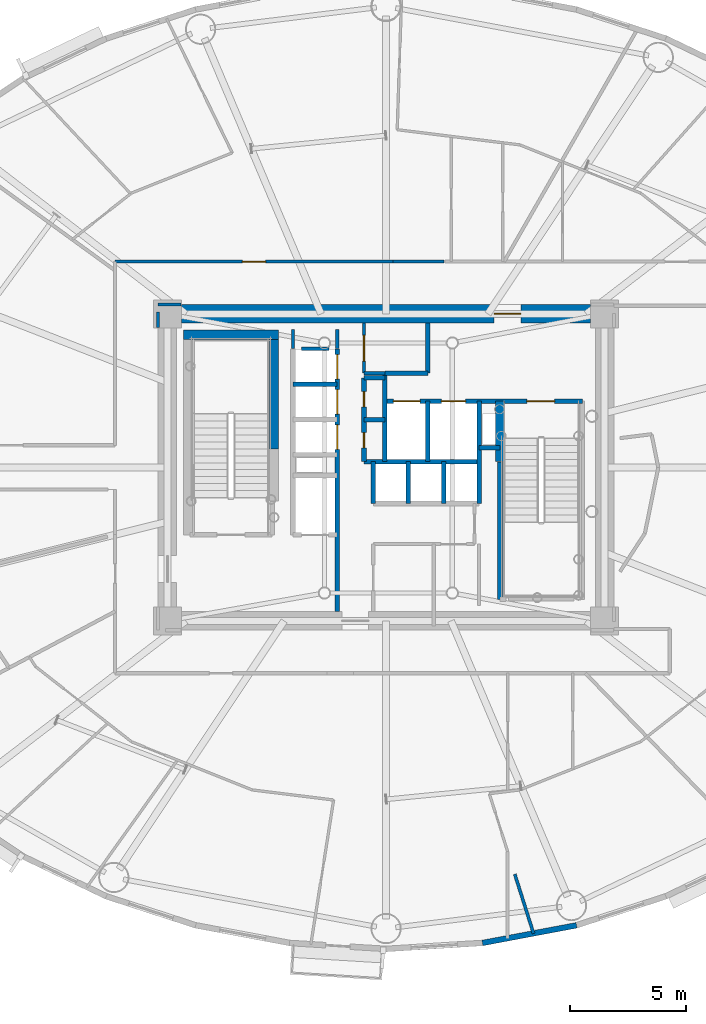
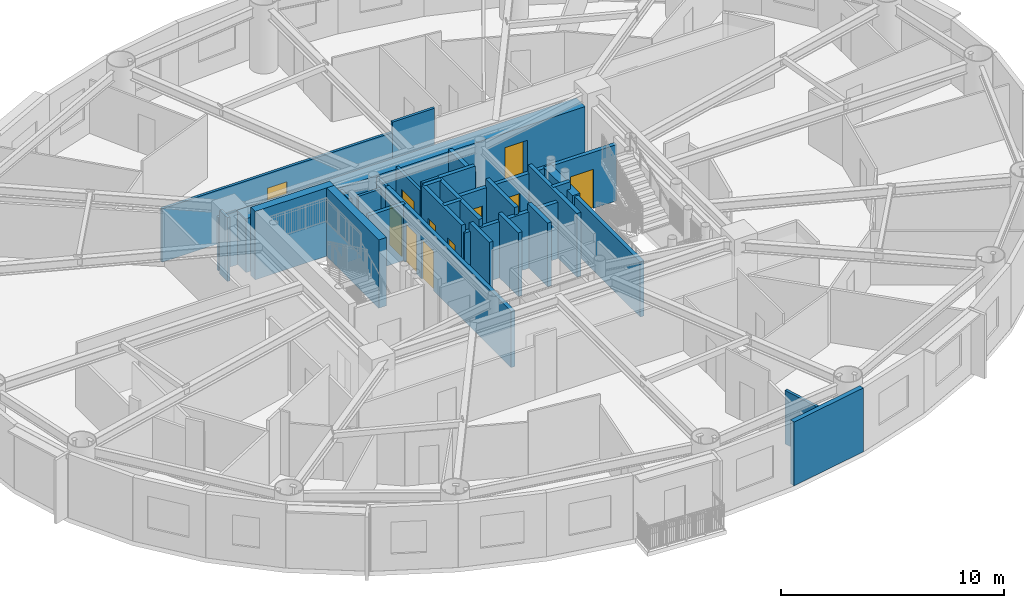
# One storey, part 10 of 19: 32 walls, 11 doors, 11 openings.
"""IFC4 building model written with IfcOpenShell, lengths in metres."""

from ifc_helpers import new_model, si_unit, direction, frame, frame_2d, origin, origin_2d, place, context, subcontext, project, spatial, rectangle, extrude, source, transform, mapped, material, layer, layer_set, type_object, element, fill, save


model = new_model("IFC4")

# Units and contexts
model_context = context("Model", 3, precision=1e-05, world=origin(), true_north=direction((0.0, 1.0)))
body_context = subcontext(model_context, "Body", "Model", "MODEL_VIEW")
ifc_project = project(units=[si_unit("LENGTHUNIT", "METRE"), si_unit("AREAUNIT", "SQUARE_METRE"), si_unit("VOLUMEUNIT", "CUBIC_METRE"), si_unit("PLANEANGLEUNIT", "RADIAN"), si_unit("MASSUNIT", "GRAM", prefix="KILO")], contexts=[model_context])

# Site, building, storey
site_placement = place(None, origin())
site = spatial("IfcSite", under=ifc_project, at=site_placement, CompositionType="ELEMENT")
building_placement = place(site_placement, origin())
building = spatial("IfcBuilding", under=site, at=building_placement, Name="Linh Dai School and Residence Tower", CompositionType="ELEMENT")
storey_placement = place(building_placement, frame((0.0, 0.0, 193.64990234375)))
storey = spatial("IfcBuildingStorey", under=building, at=storey_placement, Name="L47", CompositionType="ELEMENT", Elevation=193.64990234375)

# Wall
ifc_material_1 = material(Name="Precast Concrete B45 (C35/45)", Category="concrete")
ifc_layer_1 = layer(ifc_material_1, 0.239990234375)
ifc_layer_set_1 = layer_set([ifc_layer_1], Name="Precast Concrete B45 (C35/45)")
wall_type_1 = type_object("IfcWallType", Name="EW-TC-240", PredefinedType="SOLIDWALL", material=ifc_layer_set_1)
wall_1_placement = place(storey_placement, frame((44.18896484375, 7.310546875, 0.0), z_axis=(0.0, 0.0, 1.0), x_axis=(-0.982788108205, -0.184736391573, 0.0)))
element("IfcWall", 1, at=wall_1_placement, inside=storey, type_object=wall_type_1, Name="L47 Terracotta Exterior Wall 32", PredefinedType="SOLIDWALL", context=body_context, shape_type="SweptSolid", body=[
    extrude(rectangle(XDim=4.114013671875, YDim=0.239990234375, at=frame_2d((2.05712890625, 0.0))), origin(), (0.0, 0.0, 1.0), 3.5),
])

# Wall, opening, door
ifc_material_2 = material(Name="Autoclaved Aerated Concrete Blockwork", Category="masonry")
ifc_layer_2 = layer(ifc_material_2, 0.135009765625)
ifc_layer_set_2 = layer_set([ifc_layer_2], Name="Autoclaved Aerated Concrete Blockwork")
wall_type_2 = type_object("IfcWallType", Name="IW-CORR-135-EI90", PredefinedType="PARTITIONING", material=ifc_layer_set_2)
wall_2_placement = place(storey_placement, frame((24.35009765625, 35.85009765625, 0.0), z_axis=(0.0, 0.0, 1.0), x_axis=(1.0, 0.0, 0.0)))
wall_2 = element("IfcWall", 2, at=wall_2_placement, inside=storey, type_object=wall_type_2, Name="L47 Interior Partition Wall 022", PredefinedType="PARTITIONING", context=body_context, shape_type="SweptSolid", body=[
    extrude(rectangle(XDim=11.9423828125, YDim=0.135009765625, at=frame_2d((5.97119140625, 0.0))), origin(), (0.0, 0.0, 1.0), 2.93505859375),
])
opening_1_placement = place(wall_2_placement, frame((5.47119140625, 0.0, 0.0)))
opening_1 = element("IfcOpeningElement", 3, at=opening_1_placement, cuts=wall_2, Name="Opening D03", PredefinedType="OPENING", context=body_context, shape_type="SweptSolid", body=[
    extrude(rectangle(XDim=1.0, YDim=2.14990234375, at=origin_2d()), frame((0.5, 0.07763671875, 1.074951171875), z_axis=(0.0, -1.0, 0.0), x_axis=(1.0, 0.0, 0.0)), (0.0, 0.0, 1.0), 0.155029296875),
])
ifc_material_3 = material(Name="Fire-Rated Solid Timber Entrance Door", Category="wood")
door_type_1 = type_object("IfcDoorType", Name="DR-FLAT-1000x2150-FD60S", OperationType="NOTDEFINED", PredefinedType="DOOR", material=ifc_material_3)
shared_shape_1 = source(origin(), body_context, "Body", "SweptSolid", [
    extrude(rectangle(XDim=1.0, YDim=2.14990234375, at=origin_2d()), frame((0.5, 0.02490234375, 1.074951171875), z_axis=(0.0, -1.0, 0.0), x_axis=(1.0, 0.0, 0.0)), (0.0, 0.0, 1.0), 0.050048828125),
])
door_1_placement = place(opening_1_placement, origin())
door_1 = element("IfcDoor", 4, at=door_1_placement, inside=storey, type_object=door_type_1, Name="L47 U4703 Apartment Entrance Door", OperationType="SINGLE_SWING_RIGHT", OverallHeight=2.14990234375, OverallWidth=1.0, PredefinedType="DOOR", context=body_context, shape_type="MappedRepresentation", body=[
    mapped(shared_shape_1, transform((0.0, 0.0, 0.0), x_axis=(1.0, 0.0, 0.0), y_axis=(0.0, 1.0, 0.0), z_axis=(0.0, 0.0, 1.0), scale=1.0)),
])
fill(opening_1, door_1)

wall_3_placement = place(storey_placement, frame((35.050048828125, 31.050048828125, 0.0), z_axis=(0.0, 0.0, 1.0), x_axis=(0.0, 1.0, 0.0)))
wall_3 = element("IfcWall", 5, at=wall_3_placement, inside=storey, type_object=wall_type_2, Name="L47 Interior Partition Wall 042", PredefinedType="PARTITIONING", context=body_context, shape_type="SweptSolid", body=[
    extrude(rectangle(XDim=2.14990234375, YDim=0.135009765625, at=frame_2d((1.074951171875, 0.0))), origin(), (0.0, 0.0, 1.0), 3.085205078125),
])
opening_2_placement = place(wall_3_placement, frame((0.52490234375, 0.0, 0.0)))
opening_2 = element("IfcOpeningElement", 6, at=opening_2_placement, cuts=wall_3, Name="Opening D07", PredefinedType="OPENING", context=body_context, shape_type="SweptSolid", body=[
    extrude(rectangle(XDim=1.10009765625, YDim=2.14990234375, at=origin_2d()), frame((0.550048828125, 0.07763671875, 1.074951171875), z_axis=(0.0, -1.0, 0.0), x_axis=(1.0, 0.0, 0.0)), (0.0, 0.0, 1.0), 0.155029296875),
])
ifc_material_4 = material(Name="Fire-Rated Louvred Steel Plant Door", Category="steel")
door_type_2 = type_object("IfcDoorType", Name="DR-PLT-1100x2150-FD60S", OperationType="NOTDEFINED", PredefinedType="DOOR", material=ifc_material_4)
shared_shape_2 = source(origin(), body_context, "Body", "SweptSolid", [
    extrude(rectangle(XDim=1.10009765625, YDim=2.14990234375, at=origin_2d()), frame((0.550048828125, 0.02490234375, 1.074951171875), z_axis=(0.0, -1.0, 0.0), x_axis=(1.0, 0.0, 0.0)), (0.0, 0.0, 1.0), 0.050048828125),
])
door_2_placement = place(opening_2_placement, origin())
door_2 = element("IfcDoor", 7, at=door_2_placement, inside=storey, type_object=door_type_2, Name="L47 North BMS Switchroom Door", OperationType="SINGLE_SWING_RIGHT", OverallHeight=2.14990234375, OverallWidth=1.10009765625, PredefinedType="DOOR", context=body_context, shape_type="MappedRepresentation", body=[
    mapped(shared_shape_2, transform((0.0, 0.0, 0.0), x_axis=(1.0, 0.0, 0.0), y_axis=(0.0, 1.0, 0.0), z_axis=(0.0, 0.0, 1.0), scale=1.0)),
])
fill(opening_2, door_2)

# Walls
wall_4_placement = place(storey_placement, frame((35.050048828125, 31.050048828125, 0.0), z_axis=(0.0, 0.0, 1.0), x_axis=(1.0, 0.0, 0.0)))
element("IfcWall", 8, at=wall_4_placement, inside=storey, type_object=wall_type_2, Name="L47 Interior Partition Wall 043", PredefinedType="PARTITIONING", context=body_context, shape_type="SweptSolid", body=[
    extrude(rectangle(XDim=0.89990234375, YDim=0.135009765625, at=frame_2d((0.449951171875, 0.0))), origin(), (0.0, 0.0, 1.0), 3.5),
])
wall_5_placement = place(storey_placement, frame((32.360107421875, 32.10009765625, 0.0), z_axis=(0.0, 0.0, 1.0), x_axis=(1.0, 0.0, 0.0)))
element("IfcWall", 9, at=wall_5_placement, inside=storey, type_object=wall_type_2, Name="L47 Interior Partition Wall 094", PredefinedType="PARTITIONING", context=body_context, shape_type="SweptSolid", body=[
    extrude(rectangle(XDim=1.179931640625, YDim=0.135009765625, at=frame_2d((0.58984375, 0.0))), origin(), (0.0, 0.0, 1.0), 3.085205078125),
])
wall_6_placement = place(storey_placement, frame((32.0, 32.93994140625, 0.0), z_axis=(0.0, 0.0, 1.0), x_axis=(0.0, -1.0, 0.0)))
element("IfcWall", 10, at=wall_6_placement, inside=storey, type_object=wall_type_2, Name="L47 Interior Partition Wall 096", PredefinedType="PARTITIONING", context=body_context, shape_type="SweptSolid", body=[
    extrude(rectangle(XDim=0.829833984375, YDim=0.135009765625, at=frame_2d((0.4150390625, 0.0))), origin(), (0.0, 0.0, 1.0), 3.03515625),
])
wall_7_placement = place(storey_placement, frame((33.89990234375, 32.110107421875, 0.0), z_axis=(0.0, 0.0, 1.0), x_axis=(0.0, 1.0, 0.0)))
element("IfcWall", 11, at=wall_7_placement, inside=storey, type_object=wall_type_2, Name="L47 Interior Partition Wall 097", PredefinedType="PARTITIONING", context=body_context, shape_type="SweptSolid", body=[
    extrude(rectangle(XDim=0.829833984375, YDim=0.135009765625, at=frame_2d((0.4150390625, 0.0))), origin(), (0.0, 0.0, 1.0), 3.085205078125),
])
wall_8_placement = place(storey_placement, frame((36.30224609375, 35.85009765625, 0.0), z_axis=(0.0, 0.0, 1.0), x_axis=(1.0, 0.0, 0.0)))
element("IfcWall", 12, at=wall_8_placement, inside=storey, type_object=wall_type_2, Name="L47 Interior Partition Wall 099", PredefinedType="PARTITIONING", context=body_context, shape_type="SweptSolid", body=[
    extrude(rectangle(XDim=2.1865234375, YDim=0.135009765625, at=frame_2d((1.09326171875, 0.0))), origin(), (0.0, 0.0, 1.0), 3.5),
])
wall_9_placement = place(storey_placement, frame((27.18994140625, 34.0, 0.0), z_axis=(0.0, 0.0, 1.0), x_axis=(-1.0, 0.0, 0.0)))
element("IfcWall", 13, at=wall_9_placement, inside=storey, type_object=wall_type_2, Name="L47 Interior Partition Wall 101", PredefinedType="PARTITIONING", context=body_context, shape_type="SweptSolid", body=[
    extrude(rectangle(XDim=0.989990234375, YDim=0.135009765625, at=frame_2d((0.4951171875, 0.0))), origin(), (0.0, 0.0, 1.0), 2.93505859375),
])
wall_10_placement = place(storey_placement, frame((26.199951171875, 33.6923828125, 0.0), z_axis=(0.0, 0.0, 1.0), x_axis=(0.0, -1.0, 0.0)))
element("IfcWall", 14, at=wall_10_placement, inside=storey, type_object=wall_type_2, Name="L47 Interior Partition Wall 102", PredefinedType="PARTITIONING", context=body_context, shape_type="SweptSolid", body=[
    extrude(rectangle(XDim=0.682373046875, YDim=0.135009765625, at=frame_2d((0.34130859375, 0.0))), origin(), (0.0, 0.0, 1.0), 3.5),
])
wall_11_placement = place(storey_placement, frame((42.342529296875, 6.95849609375, 0.0), z_axis=(0.0, 0.0, 1.0), x_axis=(-0.30175084808, 0.953386818496, 0.0)))
element("IfcWall", 15, at=wall_11_placement, inside=storey, type_object=wall_type_2, Name="L47 Interior Partition Wall 111", PredefinedType="PARTITIONING", context=body_context, shape_type="SweptSolid", body=[
    extrude(rectangle(XDim=2.677978515625, YDim=0.135009765625, at=frame_2d((1.3388671875, 0.0))), origin(), (0.0, 0.0, 1.0), 2.93505859375),
])
ifc_material_5 = material(Name="Concrete B45 (C35/45)", Category="concrete")
ifc_layer_3 = layer(ifc_material_5, 0.199951171875)
ifc_layer_set_3 = layer_set([ifc_layer_3], Name="Concrete B45 (C35/45)")
wall_type_3 = type_object("IfcWallType", Name="IW-SHAFT-200-EI120", PredefinedType="PARTITIONING", material=ifc_layer_set_3)
wall_12_placement = place(storey_placement, frame((32.0, 30.580078125, 0.0), z_axis=(0.0, 0.0, 1.0), x_axis=(1.0, 0.0, 0.0)))
element("IfcWall", 16, at=wall_12_placement, inside=storey, type_object=wall_type_3, Name="L47 Interior Partition Wall 034", PredefinedType="PARTITIONING", context=body_context, shape_type="SweptSolid", body=[
    extrude(rectangle(XDim=1.89990234375, YDim=0.199951171875, at=frame_2d((0.949951171875, 0.0))), origin(), (0.0, 0.0, 1.0), 3.085205078125),
])

# Wall, openings, doors
wall_13_placement = place(storey_placement, frame((33.89990234375, 20.800048828125, 0.0), z_axis=(0.0, 0.0, 1.0), x_axis=(0.0, 1.0, 0.0)))
wall_13 = element("IfcWall", 17, at=wall_13_placement, inside=storey, type_object=wall_type_3, Name="L47 Interior Partition Wall 036", PredefinedType="PARTITIONING", context=body_context, shape_type="SweptSolid", body=[
    extrude(rectangle(XDim=11.300048828125, YDim=0.199951171875, at=frame_2d((5.64990234375, 0.0))), origin(), (0.0, 0.0, 1.0), 3.085205078125),
])
opening_3_placement = place(wall_13_placement, frame((6.97998046875, 0.0, 0.0)))
opening_3 = element("IfcOpeningElement", 18, at=opening_3_placement, cuts=wall_13, Name="Opening LD-PL4", PredefinedType="OPENING", context=body_context, shape_type="SweptSolid", body=[
    extrude(rectangle(XDim=1.050048828125, YDim=2.14990234375, at=origin_2d()), frame((0.52490234375, 0.10986328125, 1.074951171875), z_axis=(0.0, -1.0, 0.0), x_axis=(1.0, 0.0, 0.0)), (0.0, 0.0, 1.0), 0.219970703125),
])
opening_4_placement = place(wall_13_placement, frame((8.4951171875, 0.0, 0.0)))
opening_4 = element("IfcOpeningElement", 19, at=opening_4_placement, cuts=wall_13, Name="Opening LD-PL5", PredefinedType="OPENING", context=body_context, shape_type="SweptSolid", body=[
    extrude(rectangle(XDim=1.050048828125, YDim=2.14990234375, at=origin_2d()), frame((0.52490234375, 0.10986328125, 1.074951171875), z_axis=(0.0, -1.0, 0.0), x_axis=(1.0, 0.0, 0.0)), (0.0, 0.0, 1.0), 0.219970703125),
])
opening_5_placement = place(wall_13_placement, frame((9.9951171875, 0.0, 0.0)))
opening_5 = element("IfcOpeningElement", 20, at=opening_5_placement, cuts=wall_13, Name="Opening LD-PL6", PredefinedType="OPENING", context=body_context, shape_type="SweptSolid", body=[
    extrude(rectangle(XDim=1.050048828125, YDim=2.14990234375, at=origin_2d()), frame((0.52490234375, 0.10986328125, 1.074951171875), z_axis=(0.0, -1.0, 0.0), x_axis=(1.0, 0.0, 0.0)), (0.0, 0.0, 1.0), 0.219970703125),
])
ifc_material_6 = material(Name="Brushed Stainless Steel Lift Landing Door", Category="steel")
door_type_3 = type_object("IfcDoorType", Name="DR-LD-PASS-1050x2150", OperationType="DOUBLE_DOOR_SLIDING", PredefinedType="USERDEFINED", material=ifc_material_6)
shared_shape_3 = source(origin(), body_context, "Body", "SweptSolid", [
    extrude(rectangle(XDim=1.050048828125, YDim=2.14990234375, at=origin_2d()), frame((0.52490234375, 0.02490234375, 1.074951171875), z_axis=(0.0, -1.0, 0.0), x_axis=(1.0, 0.0, 0.0)), (0.0, 0.0, 1.0), 0.050048828125),
])
door_3_placement = place(opening_3_placement, origin())
door_3 = element("IfcDoor", 21, at=door_3_placement, inside=storey, type_object=door_type_3, Name="L47 Lift PL4 Sliding Landing Door", ObjectType="LANDING DOOR", OperationType="DOUBLE_DOOR_SLIDING", OverallHeight=2.14990234375, OverallWidth=1.050048828125, PredefinedType="USERDEFINED", context=body_context, shape_type="MappedRepresentation", body=[
    mapped(shared_shape_3, transform((0.0, 0.0, 0.0), x_axis=(1.0, 0.0, 0.0), y_axis=(0.0, 1.0, 0.0), z_axis=(0.0, 0.0, 1.0), scale=1.0)),
])
fill(opening_3, door_3)
door_4_placement = place(opening_4_placement, origin())
door_4 = element("IfcDoor", 22, at=door_4_placement, inside=storey, type_object=door_type_3, Name="L47 Lift PL5 Sliding Landing Door", ObjectType="LANDING DOOR", OperationType="DOUBLE_DOOR_SLIDING", OverallHeight=2.14990234375, OverallWidth=1.050048828125, PredefinedType="USERDEFINED", context=body_context, shape_type="MappedRepresentation", body=[
    mapped(shared_shape_3, transform((0.0, 0.0, 0.0), x_axis=(1.0, 0.0, 0.0), y_axis=(0.0, 1.0, 0.0), z_axis=(0.0, 0.0, 1.0), scale=1.0)),
])
fill(opening_4, door_4)
door_5_placement = place(opening_5_placement, origin())
door_5 = element("IfcDoor", 23, at=door_5_placement, inside=storey, type_object=door_type_3, Name="L47 Lift PL6 Sliding Landing Door", ObjectType="LANDING DOOR", OperationType="DOUBLE_DOOR_SLIDING", OverallHeight=2.14990234375, OverallWidth=1.050048828125, PredefinedType="USERDEFINED", context=body_context, shape_type="MappedRepresentation", body=[
    mapped(shared_shape_3, transform((0.0, 0.0, 0.0), x_axis=(1.0, 0.0, 0.0), y_axis=(0.0, 1.0, 0.0), z_axis=(0.0, 0.0, 1.0), scale=1.0)),
])
fill(opening_5, door_5)

wall_14_placement = place(storey_placement, frame((35.050048828125, 27.25, 0.0), z_axis=(0.0, 0.0, 1.0), x_axis=(0.0, 1.0, 0.0)))
wall_14 = element("IfcWall", 24, at=wall_14_placement, inside=storey, type_object=wall_type_3, Name="L47 Interior Partition Wall 038", PredefinedType="PARTITIONING", context=body_context, shape_type="SweptSolid", body=[
    extrude(rectangle(XDim=3.60009765625, YDim=0.199951171875, at=frame_2d((1.800048828125, 0.0))), origin(), (0.0, 0.0, 1.0), 3.5),
])
opening_6_placement = place(wall_14_placement, frame((0.590087890625, 0.0, 0.0)))
opening_6 = element("IfcOpeningElement", 25, at=opening_6_placement, cuts=wall_14, Name="Opening AD1", PredefinedType="OPENING", context=body_context, shape_type="SweptSolid", body=[
    extrude(rectangle(XDim=0.659912109375, YDim=2.050048828125, at=origin_2d()), frame((0.330078125, 0.10986328125, 1.02490234375), z_axis=(0.0, -1.0, 0.0), x_axis=(1.0, 0.0, 0.0)), (0.0, 0.0, 1.0), 0.219970703125),
])
opening_7_placement = place(wall_14_placement, frame((2.35009765625, 0.0, 0.0)))
opening_7 = element("IfcOpeningElement", 26, at=opening_7_placement, cuts=wall_14, Name="Opening AD1", PredefinedType="OPENING", context=body_context, shape_type="SweptSolid", body=[
    extrude(rectangle(XDim=0.659912109375, YDim=2.050048828125, at=origin_2d()), frame((0.330078125, 0.10986328125, 1.02490234375), z_axis=(0.0, -1.0, 0.0), x_axis=(1.0, 0.0, 0.0)), (0.0, 0.0, 1.0), 0.219970703125),
])
ifc_material_7 = material(Name="Fire-Rated Steel Riser Access Door", Category="steel")
door_type_4 = type_object("IfcDoorType", Name="DR-ACC-660x2050-FD90S", OperationType="NOTDEFINED", PredefinedType="USERDEFINED", material=ifc_material_7)
shared_shape_4 = source(origin(), body_context, "Body", "SweptSolid", [
    extrude(rectangle(XDim=0.659912109375, YDim=2.050048828125, at=origin_2d()), frame((0.330078125, 0.02490234375, 1.02490234375), z_axis=(0.0, -1.0, 0.0), x_axis=(1.0, 0.0, 0.0)), (0.0, 0.0, 1.0), 0.050048828125),
])
door_6_placement = place(opening_6_placement, origin())
door_6 = element("IfcDoor", 27, at=door_6_placement, inside=storey, type_object=door_type_4, Name="L47 Telecom and Data Riser Access Door", ObjectType="ACCESS DOOR", OperationType="SINGLE_SWING_RIGHT", OverallHeight=2.050048828125, OverallWidth=0.659912109375, PredefinedType="USERDEFINED", context=body_context, shape_type="MappedRepresentation", body=[
    mapped(shared_shape_4, transform((0.0, 0.0, 0.0), x_axis=(1.0, 0.0, 0.0), y_axis=(0.0, 1.0, 0.0), z_axis=(0.0, 0.0, 1.0), scale=1.0)),
])
fill(opening_6, door_6)
door_7_placement = place(opening_7_placement, origin())
door_7 = element("IfcDoor", 28, at=door_7_placement, inside=storey, type_object=door_type_4, Name="L47 Mechanical and Plumbing Riser Access Door", ObjectType="ACCESS DOOR", OperationType="SINGLE_SWING_LEFT", OverallHeight=2.050048828125, OverallWidth=0.659912109375, PredefinedType="USERDEFINED", context=body_context, shape_type="MappedRepresentation", body=[
    mapped(shared_shape_4, transform((0.0, 0.0, 0.0), x_axis=(1.0, 0.0, 0.0), y_axis=(0.0, 1.0, 0.0), z_axis=(0.0, 0.0, 1.0), scale=1.0)),
])
fill(opening_7, door_7)

# Walls
wall_15_placement = place(storey_placement, frame((35.050048828125, 27.25, 0.0), z_axis=(0.0, 0.0, 1.0), x_axis=(1.0, 0.0, 0.0)))
element("IfcWall", 29, at=wall_15_placement, inside=storey, type_object=wall_type_3, Name="L47 Interior Partition Wall 039", PredefinedType="PARTITIONING", context=body_context, shape_type="SweptSolid", body=[
    extrude(rectangle(XDim=4.949951171875, YDim=0.199951171875, at=frame_2d((2.47509765625, 0.0))), origin(), (0.0, 0.0, 1.0), 3.085205078125),
])
for number, where, z_axis, x_axis, name in (
    (30, (35.050048828125, 29.050048828125, 0.0), (0.0, 0.0, 1.0), (1.0, 0.0, 0.0), "L47 Interior Partition Wall 040"),
    (31, (35.050048828125, 30.85009765625, 0.0), (0.0, 0.0, 1.0), (1.0, 0.0, 0.0), "L47 Interior Partition Wall 041"),
):
    element("IfcWall", number, at=place(storey_placement, frame(where, z_axis=z_axis, x_axis=x_axis)), inside=storey, type_object=wall_type_3, Name=name, PredefinedType="PARTITIONING", context=body_context, shape_type="SweptSolid", body=[
        extrude(rectangle(XDim=0.89990234375, YDim=0.199951171875, at=frame_2d((0.449951171875, 0.0))), origin(), (0.0, 0.0, 1.0), 3.5),
    ])
wall_16_placement = place(storey_placement, frame((35.449951171875, 25.449951171875, 0.0), z_axis=(0.0, 0.0, 1.0), x_axis=(0.0, 1.0, 0.0)))
element("IfcWall", 32, at=wall_16_placement, inside=storey, type_object=wall_type_3, Name="L47 Interior Partition Wall 046", PredefinedType="PARTITIONING", context=body_context, shape_type="SweptSolid", body=[
    extrude(rectangle(XDim=1.800048828125, YDim=0.199951171875, at=frame_2d((0.89990234375, 0.0))), origin(), (0.0, 0.0, 1.0), 3.5),
])
wall_17_placement = place(storey_placement, frame((35.949951171875, 27.25, 0.0), z_axis=(0.0, 0.0, 1.0), x_axis=(0.0, 1.0, 0.0)))
element("IfcWall", 33, at=wall_17_placement, inside=storey, type_object=wall_type_3, Name="L47 Interior Partition Wall 048", PredefinedType="PARTITIONING", context=body_context, shape_type="SweptSolid", body=[
    extrude(rectangle(XDim=3.800048828125, YDim=0.199951171875, at=frame_2d((1.89990234375, 0.0))), origin(), (0.0, 0.0, 1.0), 3.5),
])

# Wall, openings, doors
wall_18_placement = place(storey_placement, frame((35.949951171875, 29.85009765625, 0.0), z_axis=(0.0, 0.0, 1.0), x_axis=(1.0, 0.0, 0.0)))
wall_18 = element("IfcWall", 34, at=wall_18_placement, inside=storey, type_object=wall_type_3, Name="L47 Interior Partition Wall 049", PredefinedType="PARTITIONING", context=body_context, shape_type="SweptSolid", body=[
    extrude(rectangle(XDim=8.489990234375, YDim=0.199951171875, at=frame_2d((4.2451171875, 0.0))), origin(), (0.0, 0.0, 1.0), 3.085205078125),
])
opening_8_placement = place(wall_18_placement, frame((6.10009765625, 0.0, 0.0)))
opening_8 = element("IfcOpeningElement", 35, at=opening_8_placement, cuts=wall_18, Name="Opening D01", PredefinedType="OPENING", context=body_context, shape_type="SweptSolid", body=[
    extrude(rectangle(XDim=1.199951171875, YDim=2.14990234375, at=origin_2d()), frame((0.60009765625, 0.10986328125, 1.074951171875), z_axis=(0.0, -1.0, 0.0), x_axis=(1.0, 0.0, 0.0)), (0.0, 0.0, 1.0), 0.219970703125),
])
opening_9_placement = place(wall_18_placement, frame((0.3701171875, 0.0, 0.0)))
opening_9 = element("IfcOpeningElement", 36, at=opening_9_placement, cuts=wall_18, Name="Opening LD-FF1", PredefinedType="OPENING", context=body_context, shape_type="SweptSolid", body=[
    extrude(rectangle(XDim=1.14990234375, YDim=2.14990234375, at=origin_2d()), frame((0.574951171875, 0.10986328125, 1.074951171875), z_axis=(0.0, -1.0, 0.0), x_axis=(1.0, 0.0, 0.0)), (0.0, 0.0, 1.0), 0.219970703125),
])
opening_10_placement = place(wall_18_placement, frame((2.425048828125, 0.0, 0.0)))
opening_10 = element("IfcOpeningElement", 37, at=opening_10_placement, cuts=wall_18, Name="Opening LD-SV1", PredefinedType="OPENING", context=body_context, shape_type="SweptSolid", body=[
    extrude(rectangle(XDim=1.050048828125, YDim=2.14990234375, at=origin_2d()), frame((0.52490234375, 0.10986328125, 1.074951171875), z_axis=(0.0, -1.0, 0.0), x_axis=(1.0, 0.0, 0.0)), (0.0, 0.0, 1.0), 0.219970703125),
])
ifc_material_8 = material(Name="Fire-Rated Steel Door Leaf", Category="steel")
door_type_5 = type_object("IfcDoorType", Name="DR-STAIR-1200x2150-FD90S", OperationType="NOTDEFINED", PredefinedType="DOOR", material=ifc_material_8)
shared_shape_5 = source(origin(), body_context, "Body", "SweptSolid", [
    extrude(rectangle(XDim=1.199951171875, YDim=2.14990234375, at=origin_2d()), frame((0.60009765625, 0.02490234375, 1.074951171875), z_axis=(0.0, -1.0, 0.0), x_axis=(1.0, 0.0, 0.0)), (0.0, 0.0, 1.0), 0.050048828125),
])
door_8_placement = place(opening_8_placement, origin())
door_8 = element("IfcDoor", 38, at=door_8_placement, inside=storey, type_object=door_type_5, Name="L47 Core Smokeproof Exit Stair ST2 Door", OperationType="SINGLE_SWING_LEFT", OverallHeight=2.14990234375, OverallWidth=1.199951171875, PredefinedType="DOOR", context=body_context, shape_type="MappedRepresentation", body=[
    mapped(shared_shape_5, transform((0.0, 0.0, 0.0), x_axis=(1.0, 0.0, 0.0), y_axis=(0.0, 1.0, 0.0), z_axis=(0.0, 0.0, 1.0), scale=1.0)),
])
fill(opening_8, door_8)
ifc_material_9 = material(Name="Fire-Rated Stainless Steel Firefighting Lift Door", Category="steel")
door_type_6 = type_object("IfcDoorType", Name="DR-LD-FF-1150x2150-FD120", OperationType="DOUBLE_DOOR_SLIDING", PredefinedType="USERDEFINED", material=ifc_material_9)
shared_shape_6 = source(origin(), body_context, "Body", "SweptSolid", [
    extrude(rectangle(XDim=1.14990234375, YDim=2.14990234375, at=origin_2d()), frame((0.574951171875, 0.02490234375, 1.074951171875), z_axis=(0.0, -1.0, 0.0), x_axis=(1.0, 0.0, 0.0)), (0.0, 0.0, 1.0), 0.050048828125),
])
door_9_placement = place(opening_9_placement, origin())
door_9 = element("IfcDoor", 39, at=door_9_placement, inside=storey, type_object=door_type_6, Name="L47 Lift FF1 Sliding Landing Door", ObjectType="LANDING DOOR", OperationType="DOUBLE_DOOR_SLIDING", OverallHeight=2.14990234375, OverallWidth=1.14990234375, PredefinedType="USERDEFINED", context=body_context, shape_type="MappedRepresentation", body=[
    mapped(shared_shape_6, transform((0.0, 0.0, 0.0), x_axis=(1.0, 0.0, 0.0), y_axis=(0.0, 1.0, 0.0), z_axis=(0.0, 0.0, 1.0), scale=1.0)),
])
fill(opening_9, door_9)
door_10_placement = place(opening_10_placement, origin())
door_10 = element("IfcDoor", 40, at=door_10_placement, inside=storey, type_object=door_type_3, Name="L47 Lift SV1 Sliding Landing Door", ObjectType="LANDING DOOR", OperationType="DOUBLE_DOOR_SLIDING", OverallHeight=2.14990234375, OverallWidth=1.050048828125, PredefinedType="USERDEFINED", context=body_context, shape_type="MappedRepresentation", body=[
    mapped(shared_shape_3, transform((0.0, 0.0, 0.0), x_axis=(1.0, 0.0, 0.0), y_axis=(0.0, 1.0, 0.0), z_axis=(0.0, 0.0, 1.0), scale=1.0)),
])
fill(opening_10, door_10)

# Walls
wall_19_placement = place(storey_placement, frame((35.9599609375, 31.050048828125, 0.0), z_axis=(0.0, 0.0, 1.0), x_axis=(1.0, 0.0, 0.0)))
element("IfcWall", 41, at=wall_19_placement, inside=storey, type_object=wall_type_3, Name="L47 Interior Partition Wall 050", PredefinedType="PARTITIONING", context=body_context, shape_type="SweptSolid", body=[
    extrude(rectangle(XDim=1.840087890625, YDim=0.199951171875, at=frame_2d((0.919921875, 0.0))), origin(), (0.0, 0.0, 1.0), 3.5),
])
wall_20_placement = place(storey_placement, frame((36.9599609375, 25.449951171875, 0.0), z_axis=(0.0, 0.0, 1.0), x_axis=(0.0, 1.0, 0.0)))
element("IfcWall", 42, at=wall_20_placement, inside=storey, type_object=wall_type_3, Name="L47 Interior Partition Wall 053", PredefinedType="PARTITIONING", context=body_context, shape_type="SweptSolid", body=[
    extrude(rectangle(XDim=1.800048828125, YDim=0.199951171875, at=frame_2d((0.89990234375, 0.0))), origin(), (0.0, 0.0, 1.0), 3.5),
])
wall_21_placement = place(storey_placement, frame((37.800048828125, 27.25, 0.0), z_axis=(0.0, 0.0, 1.0), x_axis=(0.0, 1.0, 0.0)))
element("IfcWall", 43, at=wall_21_placement, inside=storey, type_object=wall_type_3, Name="L47 Interior Partition Wall 054", PredefinedType="PARTITIONING", context=body_context, shape_type="SweptSolid", body=[
    extrude(rectangle(XDim=2.60009765625, YDim=0.199951171875, at=frame_2d((1.300048828125, 0.0))), origin(), (0.0, 0.0, 1.0), 3.5),
])
wall_22_placement = place(storey_placement, frame((37.800048828125, 31.050048828125, 0.0), z_axis=(0.0, 0.0, 1.0), x_axis=(0.0, 1.0, 0.0)))
element("IfcWall", 44, at=wall_22_placement, inside=storey, type_object=wall_type_3, Name="L47 Interior Partition Wall 055", PredefinedType="PARTITIONING", context=body_context, shape_type="SweptSolid", body=[
    extrude(rectangle(XDim=2.14990234375, YDim=0.199951171875, at=frame_2d((1.074951171875, 0.0))), origin(), (0.0, 0.0, 1.0), 3.085205078125),
])
wall_23_placement = place(storey_placement, frame((38.47998046875, 25.449951171875, 0.0), z_axis=(0.0, 0.0, 1.0), x_axis=(0.0, 1.0, 0.0)))
element("IfcWall", 45, at=wall_23_placement, inside=storey, type_object=wall_type_3, Name="L47 Interior Partition Wall 057", PredefinedType="PARTITIONING", context=body_context, shape_type="SweptSolid", body=[
    extrude(rectangle(XDim=1.800048828125, YDim=0.199951171875, at=frame_2d((0.89990234375, 0.0))), origin(), (0.0, 0.0, 1.0), 3.5),
])
wall_24_placement = place(storey_placement, frame((40.0, 25.449951171875, 0.0), z_axis=(0.0, 0.0, 1.0), x_axis=(0.0, 1.0, 0.0)))
element("IfcWall", 46, at=wall_24_placement, inside=storey, type_object=wall_type_3, Name="L47 Interior Partition Wall 061", PredefinedType="PARTITIONING", context=body_context, shape_type="SweptSolid", body=[
    extrude(rectangle(XDim=4.400146484375, YDim=0.199951171875, at=frame_2d((2.2001953125, 0.0))), origin(), (0.0, 0.0, 1.0), 3.5),
])
wall_25_placement = place(storey_placement, frame((40.0, 27.85009765625, 0.0), z_axis=(0.0, 0.0, 1.0), x_axis=(1.0, 0.0, 0.0)))
element("IfcWall", 47, at=wall_25_placement, inside=storey, type_object=wall_type_3, Name="L47 Interior Partition Wall 062", PredefinedType="PARTITIONING", context=body_context, shape_type="SweptSolid", body=[
    extrude(rectangle(XDim=0.89990234375, YDim=0.199951171875, at=frame_2d((0.449951171875, 0.0))), origin(), (0.0, 0.0, 1.0), 3.5),
])
wall_26_placement = place(storey_placement, frame((40.89990234375, 21.330078125, 0.0), z_axis=(0.0, 0.0, 1.0), x_axis=(0.0, 1.0, 0.0)))
element("IfcWall", 48, at=wall_26_placement, inside=storey, type_object=wall_type_3, Name="L47 Interior Partition Wall 065", PredefinedType="PARTITIONING", context=body_context, shape_type="SweptSolid", body=[
    extrude(rectangle(XDim=5.909912109375, YDim=0.199951171875, at=frame_2d((2.955078125, 0.0))), origin(), (0.0, 0.0, 1.0), 3.03515625),
])
ifc_layer_4 = layer(ifc_material_5, 0.39990234375)
ifc_layer_set_4 = layer_set([ifc_layer_4], Name="Concrete B45 (C35/45)")
wall_type_4 = type_object("IfcWallType", Name="WL-CORE400", PredefinedType="SHEAR", material=ifc_layer_set_4)
wall_27_placement = place(storey_placement, frame((31.179931640625, 27.800048828125, 0.0), z_axis=(0.0, 0.0, 1.0), x_axis=(0.0, 1.0, 0.0)))
element("IfcWall", 49, at=wall_27_placement, inside=storey, type_object=wall_type_4, Name="L47 Core Stair ST1 Bearing Wall E", PredefinedType="SHEAR", context=body_context, shape_type="SweptSolid", body=[
    extrude(rectangle(XDim=4.89990234375, YDim=0.39990234375, at=frame_2d((2.449951171875, 0.0))), origin(), (0.0, 0.0, 1.0), 3.75),
])
wall_28_placement = place(storey_placement, frame((27.280029296875, 32.699951171875, 0.0), z_axis=(0.0, 0.0, 1.0), x_axis=(1.0, 0.0, 0.0)))
element("IfcWall", 50, at=wall_28_placement, inside=storey, type_object=wall_type_4, Name="L47 Core Stair ST1 Bearing Wall N", PredefinedType="SHEAR", context=body_context, shape_type="SweptSolid", body=[
    extrude(rectangle(XDim=4.099853515625, YDim=0.39990234375, at=frame_2d((2.0498046875, 0.0))), origin(), (0.0, 0.0, 1.0), 3.75),
])
wall_29_placement = place(storey_placement, frame((40.89990234375, 27.25, 0.0), z_axis=(0.0, 0.0, 1.0), x_axis=(0.0, 1.0, 0.0)))
element("IfcWall", 51, at=wall_29_placement, inside=storey, type_object=wall_type_4, Name="L47 Internal Core Shear Wall IE", PredefinedType="SHEAR", context=body_context, shape_type="SweptSolid", body=[
    extrude(rectangle(XDim=2.60009765625, YDim=0.39990234375, at=frame_2d((1.300048828125, 0.0))), origin(), (0.0, 0.0, 1.0), 3.10009765625),
])

# Wall, opening, door
ifc_material_10 = material(Name="Concrete B60 (C50/60)", Category="concrete")
ifc_layer_5 = layer(ifc_material_10, 0.800048828125)
ifc_layer_set_5 = layer_set([ifc_layer_5], Name="Concrete B60 (C50/60)")
wall_type_5 = type_object("IfcWallType", Name="WL-CORE800", PredefinedType="SHEAR", material=ifc_layer_set_5)
wall_30_placement = place(storey_placement, frame((27.199951171875, 33.60009765625, 0.0), z_axis=(0.0, 0.0, 1.0), x_axis=(1.0, 0.0, 0.0)))
wall_30 = element("IfcWall", 52, at=wall_30_placement, inside=storey, type_object=wall_type_5, Name="L47 Central Core Shear Wall N", PredefinedType="SHEAR", context=body_context, shape_type="SweptSolid", body=[
    extrude(rectangle(XDim=17.60009765625, YDim=0.800048828125, at=frame_2d((8.800048828125, 0.0))), origin(), (0.0, 0.0, 1.0), 2.9501953125),
])
opening_11_placement = place(wall_30_placement, frame((13.449951171875, 0.0, 0.0)))
opening_11 = element("IfcOpeningElement", 53, at=opening_11_placement, cuts=wall_30, Name="Opening D02", PredefinedType="OPENING", context=body_context, shape_type="SweptSolid", body=[
    extrude(rectangle(XDim=1.14990234375, YDim=2.14990234375, at=origin_2d()), frame((0.574951171875, 0.41015625, 1.074951171875), z_axis=(0.0, -1.0, 0.0), x_axis=(1.0, 0.0, 0.0)), (0.0, 0.0, 1.0), 0.820068359375),
])
ifc_material_11 = material(Name="Fire-Rated Glazed Steel Lobby Door", Category="steel")
door_type_7 = type_object("IfcDoorType", Name="DR-LOBBY-1150x2150-FD90S", OperationType="NOTDEFINED", PredefinedType="DOOR", material=ifc_material_11)
shared_shape_7 = source(origin(), body_context, "Body", "SweptSolid", [
    extrude(rectangle(XDim=1.14990234375, YDim=2.14990234375, at=origin_2d()), frame((0.574951171875, 0.02490234375, 1.074951171875), z_axis=(0.0, -1.0, 0.0), x_axis=(1.0, 0.0, 0.0)), (0.0, 0.0, 1.0), 0.050048828125),
])
door_11_placement = place(opening_11_placement, origin())
door_11 = element("IfcDoor", 54, at=door_11_placement, inside=storey, type_object=door_type_7, Name="L47 Firefighting Lobby Door", OperationType="SINGLE_SWING_RIGHT", OverallHeight=2.14990234375, OverallWidth=1.14990234375, PredefinedType="DOOR", context=body_context, shape_type="MappedRepresentation", body=[
    mapped(shared_shape_7, transform((0.0, 0.0, 0.0), x_axis=(1.0, 0.0, 0.0), y_axis=(0.0, 1.0, 0.0), z_axis=(0.0, 0.0, 1.0), scale=1.0)),
])
fill(opening_11, door_11)

save(model, "model.ifc")
